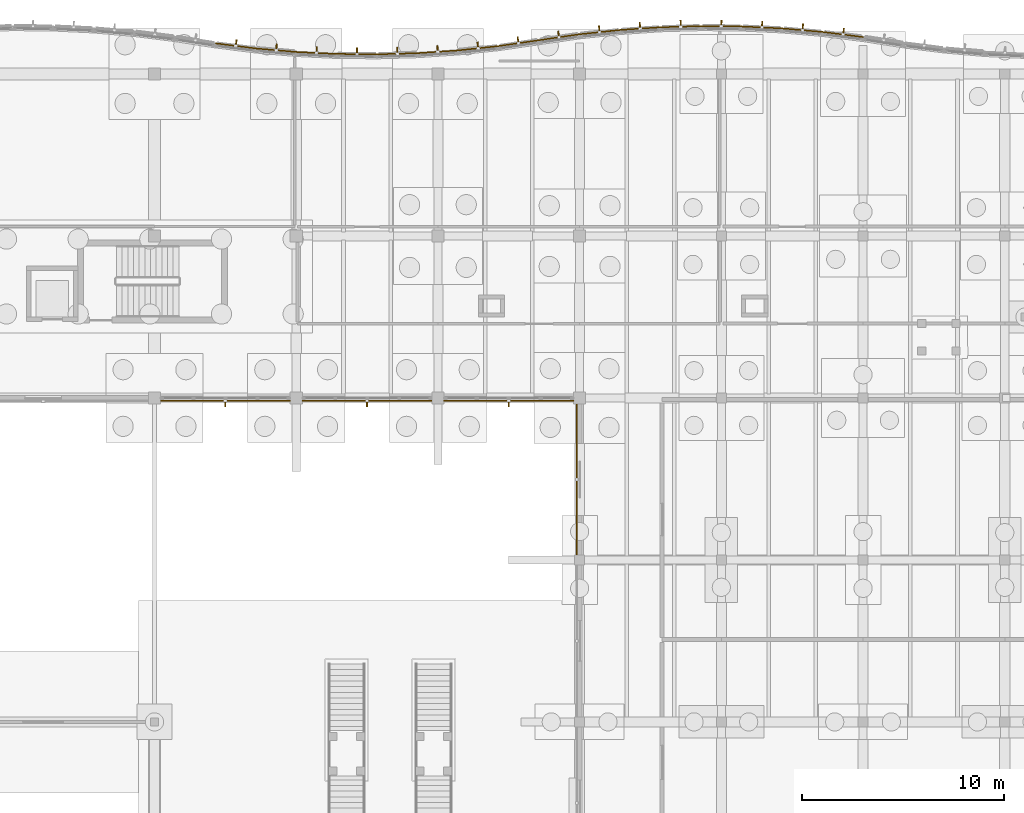
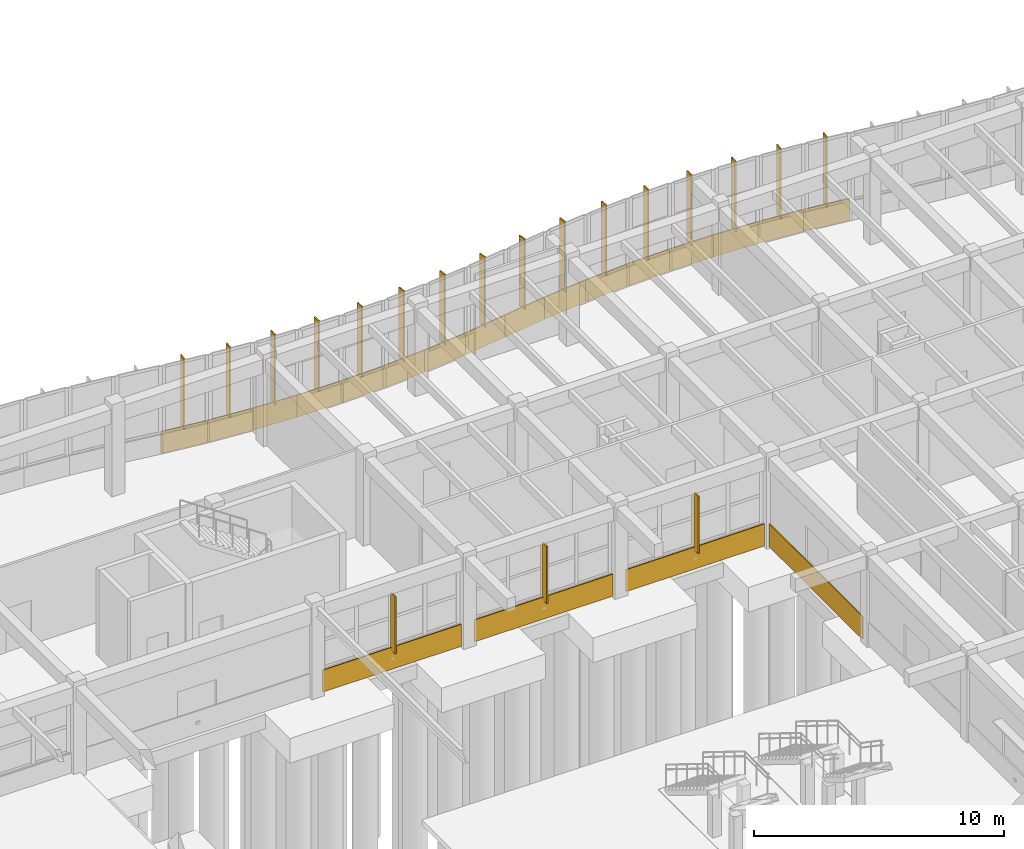
# One storey, part 97 of 99: 20 coverings, 19 shading devices.
"""IFC4 building model written with IfcOpenShell, lengths in metres."""

from ifc_helpers import new_model, si_unit, direction, frame, origin, origin_2d, place, context, subcontext, project, spatial, polyline, rectangle, outline, extrude, material, layer, layer_set, type_object, element, save


model = new_model("IFC4")

# Units and contexts
model_context = context("Model", 3, precision=1e-05, world=origin(), true_north=direction((0.0, 1.0)))
body_context = subcontext(model_context, "Body", "Model", "MODEL_VIEW")
ifc_project = project(units=[si_unit("LENGTHUNIT", "METRE"), si_unit("AREAUNIT", "SQUARE_METRE"), si_unit("VOLUMEUNIT", "CUBIC_METRE"), si_unit("PLANEANGLEUNIT", "RADIAN"), si_unit("MASSUNIT", "GRAM", prefix="KILO")], contexts=[model_context])

# Site, building, storey
site_placement = place(None, origin())
site = spatial("IfcSite", under=ifc_project, at=site_placement, CompositionType="ELEMENT")
building_placement = place(site_placement, origin())
building = spatial("IfcBuilding", under=site, at=building_placement, Name="Tonlespit Floodbar School", CompositionType="ELEMENT")
storey_placement = place(building_placement, origin())
storey = spatial("IfcBuildingStorey", under=building, at=storey_placement, Name="L00", CompositionType="ELEMENT", Elevation=0.0)

# Coverings
ifc_material_1 = material(Name="White Architectural Aluminium", Category="aluminium")
ifc_layer_1 = layer(ifc_material_1, 0.050048828125)
ifc_layer_set_1 = layer_set([ifc_layer_1], Name="White Architectural Aluminium")
covering_type = type_object("IfcCoveringType", Name="Cladding_WhiteBand_50", PredefinedType="CLADDING", material=ifc_layer_set_1)
covering_1_placement = place(storey_placement, frame((0.0, 0.0, -0.1201171875)))
element("IfcCovering", 1, at=covering_1_placement, inside=storey, type_object=covering_type, Name="L00 curved white spandrel cladding 0596", PredefinedType="CLADDING", context=body_context, shape_type="SweptSolid", body=[
    extrude(outline(polyline([(130.012451171875, 121.493408203125), (132.012451171875, 121.241455078125), (132.018798828125, 121.291015625), (130.018798828125, 121.543212890625), (130.012451171875, 121.493408203125)])), origin(), (0.0, 0.0, 1.0), 1.070068359375),
])
covering_2_placement = place(storey_placement, frame((0.0, 0.0, -0.1201171875)))
element("IfcCovering", 2, at=covering_2_placement, inside=storey, type_object=covering_type, Name="L00 curved white spandrel cladding 0597", PredefinedType="CLADDING", context=body_context, shape_type="SweptSolid", body=[
    extrude(outline(polyline([(132.0087890625, 121.241943359375), (134.0087890625, 121.068115234375), (134.012939453125, 121.117919921875), (132.012939453125, 121.291748046875), (132.0087890625, 121.241943359375)])), origin(), (0.0, 0.0, 1.0), 1.070068359375),
])
covering_3_placement = place(storey_placement, frame((0.0, 0.0, -0.1201171875)))
element("IfcCovering", 3, at=covering_3_placement, inside=storey, type_object=covering_type, Name="L00 curved white spandrel cladding 0598", PredefinedType="CLADDING", context=body_context, shape_type="SweptSolid", body=[
    extrude(outline(polyline([(134.0048828125, 121.068359375), (136.0048828125, 120.97216796875), (136.007080078125, 121.02197265625), (134.007080078125, 121.118408203125), (134.0048828125, 121.068359375)])), origin(), (0.0, 0.0, 1.0), 1.070068359375),
])
covering_4_placement = place(storey_placement, frame((0.0, 0.0, -0.1201171875)))
element("IfcCovering", 4, at=covering_4_placement, inside=storey, type_object=covering_type, Name="L00 curved white spandrel cladding 0599", PredefinedType="CLADDING", context=body_context, shape_type="SweptSolid", body=[
    extrude(outline(polyline([(136.0009765625, 120.97216796875), (138.0009765625, 120.952880859375), (138.00146484375, 121.0029296875), (136.00146484375, 121.022216796875), (136.0009765625, 120.97216796875)])), origin(), (0.0, 0.0, 1.0), 1.070068359375),
])
covering_5_placement = place(storey_placement, frame((0.0, 0.0, -0.1201171875)))
element("IfcCovering", 5, at=covering_5_placement, inside=storey, type_object=covering_type, Name="L00 curved white spandrel cladding 0600", PredefinedType="CLADDING", context=body_context, shape_type="SweptSolid", body=[
    extrude(outline(polyline([(137.9970703125, 120.952880859375), (139.9970703125, 121.0107421875), (139.99560546875, 121.060791015625), (137.99560546875, 121.0029296875), (137.9970703125, 120.952880859375)])), origin(), (0.0, 0.0, 1.0), 1.070068359375),
])
covering_6_placement = place(storey_placement, frame((0.0, 0.0, -0.1201171875)))
element("IfcCovering", 6, at=covering_6_placement, inside=storey, type_object=covering_type, Name="L00 curved white spandrel cladding 0601", PredefinedType="CLADDING", context=body_context, shape_type="SweptSolid", body=[
    extrude(outline(polyline([(139.993408203125, 121.010498046875), (141.993408203125, 121.1455078125), (141.989990234375, 121.1953125), (139.989990234375, 121.060302734375), (139.993408203125, 121.010498046875)])), origin(), (0.0, 0.0, 1.0), 1.070068359375),
])
covering_7_placement = place(storey_placement, frame((0.0, 0.0, -0.1201171875)))
element("IfcCovering", 7, at=covering_7_placement, inside=storey, type_object=covering_type, Name="L00 curved white spandrel cladding 0602", PredefinedType="CLADDING", context=body_context, shape_type="SweptSolid", body=[
    extrude(outline(polyline([(141.989501953125, 121.14501953125), (143.989501953125, 121.35791015625), (143.984130859375, 121.407470703125), (141.984130859375, 121.19482421875), (141.989501953125, 121.14501953125)])), origin(), (0.0, 0.0, 1.0), 1.070068359375),
])
covering_8_placement = place(storey_placement, frame((0.0, 0.0, -0.1201171875)))
element("IfcCovering", 8, at=covering_8_placement, inside=storey, type_object=covering_type, Name="L00 curved white spandrel cladding 0603", PredefinedType="CLADDING", context=body_context, shape_type="SweptSolid", body=[
    extrude(outline(polyline([(143.985595703125, 121.357421875), (145.985595703125, 121.64892578125), (145.978515625, 121.698486328125), (143.978515625, 121.406982421875), (143.985595703125, 121.357421875)])), origin(), (0.0, 0.0, 1.0), 1.070068359375),
])
covering_9_placement = place(storey_placement, frame((0.0, 0.0, -0.1201171875)))
element("IfcCovering", 9, at=covering_9_placement, inside=storey, type_object=covering_type, Name="L00 curved white spandrel cladding 0604", PredefinedType="CLADDING", context=body_context, shape_type="SweptSolid", body=[
    extrude(outline(polyline([(145.985595703125, 121.64892578125), (147.985595703125, 121.940673828125), (147.978515625, 121.989990234375), (145.978515625, 121.698486328125), (145.985595703125, 121.64892578125)])), origin(), (0.0, 0.0, 1.0), 1.070068359375),
])
covering_10_placement = place(storey_placement, frame((0.0, 0.0, -0.1201171875)))
element("IfcCovering", 10, at=covering_10_placement, inside=storey, type_object=covering_type, Name="L00 curved white spandrel cladding 0605", PredefinedType="CLADDING", context=body_context, shape_type="SweptSolid", body=[
    extrude(outline(polyline([(147.989501953125, 121.94091796875), (149.989501953125, 122.15380859375), (149.984130859375, 122.203369140625), (147.984130859375, 121.99072265625), (147.989501953125, 121.94091796875)])), origin(), (0.0, 0.0, 1.0), 1.070068359375),
])
covering_11_placement = place(storey_placement, frame((0.0, 0.0, -0.1201171875)))
element("IfcCovering", 11, at=covering_11_placement, inside=storey, type_object=covering_type, Name="L00 curved white spandrel cladding 0606", PredefinedType="CLADDING", context=body_context, shape_type="SweptSolid", body=[
    extrude(outline(polyline([(149.993408203125, 122.154052734375), (151.993408203125, 122.2890625), (151.989990234375, 122.339111328125), (149.989990234375, 122.2041015625), (149.993408203125, 122.154052734375)])), origin(), (0.0, 0.0, 1.0), 1.070068359375),
])
covering_12_placement = place(storey_placement, frame((0.0, 0.0, -0.1201171875)))
element("IfcCovering", 12, at=covering_12_placement, inside=storey, type_object=covering_type, Name="L00 curved white spandrel cladding 0607", PredefinedType="CLADDING", context=body_context, shape_type="SweptSolid", body=[
    extrude(outline(polyline([(151.9970703125, 122.289306640625), (153.9970703125, 122.346923828125), (153.99560546875, 122.39697265625), (151.99560546875, 122.33935546875), (151.9970703125, 122.289306640625)])), origin(), (0.0, 0.0, 1.0), 1.070068359375),
])
covering_13_placement = place(storey_placement, frame((0.0, 0.0, -0.1201171875)))
element("IfcCovering", 13, at=covering_13_placement, inside=storey, type_object=covering_type, Name="L00 curved white spandrel cladding 0608", PredefinedType="CLADDING", context=body_context, shape_type="SweptSolid", body=[
    extrude(outline(polyline([(154.0009765625, 122.346923828125), (156.0009765625, 122.327880859375), (156.00146484375, 122.377685546875), (154.00146484375, 122.39697265625), (154.0009765625, 122.346923828125)])), origin(), (0.0, 0.0, 1.0), 1.070068359375),
])
covering_14_placement = place(storey_placement, frame((0.0, 0.0, -0.1201171875)))
element("IfcCovering", 14, at=covering_14_placement, inside=storey, type_object=covering_type, Name="L00 curved white spandrel cladding 0609", PredefinedType="CLADDING", context=body_context, shape_type="SweptSolid", body=[
    extrude(outline(polyline([(156.0048828125, 122.32763671875), (158.0048828125, 122.2314453125), (158.007080078125, 122.28125), (156.007080078125, 122.377685546875), (156.0048828125, 122.32763671875)])), origin(), (0.0, 0.0, 1.0), 1.070068359375),
])
covering_15_placement = place(storey_placement, frame((0.0, 0.0, -0.1201171875)))
element("IfcCovering", 15, at=covering_15_placement, inside=storey, type_object=covering_type, Name="L00 curved white spandrel cladding 0610", PredefinedType="CLADDING", context=body_context, shape_type="SweptSolid", body=[
    extrude(outline(polyline([(158.0087890625, 122.231201171875), (160.0087890625, 122.057373046875), (160.012939453125, 122.107177734375), (158.012939453125, 122.281005859375), (158.0087890625, 122.231201171875)])), origin(), (0.0, 0.0, 1.0), 1.070068359375),
])
covering_16_placement = place(storey_placement, frame((0.0, 0.0, -0.1201171875)))
element("IfcCovering", 16, at=covering_16_placement, inside=storey, type_object=covering_type, Name="L00 curved white spandrel cladding 0611", PredefinedType="CLADDING", context=body_context, shape_type="SweptSolid", body=[
    extrude(outline(polyline([(160.012451171875, 122.056884765625), (162.012451171875, 121.804931640625), (162.018798828125, 121.8544921875), (160.018798828125, 122.1064453125), (160.012451171875, 122.056884765625)])), origin(), (0.0, 0.0, 1.0), 1.070068359375),
])
covering_17_placement = place(storey_placement, frame((0.0, 0.0, -0.1201171875)))
element("IfcCovering", 17, at=covering_17_placement, inside=storey, type_object=covering_type, Name="L00 curved white spandrel cladding 0620", PredefinedType="CLADDING", context=body_context, shape_type="SweptSolid", body=[
    extrude(outline(polyline([(147.699951171875, 103.89990234375), (141.300048828125, 103.89990234375), (141.300048828125, 103.85009765625), (147.699951171875, 103.85009765625), (147.699951171875, 103.89990234375)])), origin(), (0.0, 0.0, 1.0), 1.070068359375),
])
covering_18_placement = place(storey_placement, frame((0.0, 0.0, -0.1201171875)))
element("IfcCovering", 18, at=covering_18_placement, inside=storey, type_object=covering_type, Name="L00 curved white spandrel cladding 0621", PredefinedType="CLADDING", context=body_context, shape_type="SweptSolid", body=[
    extrude(outline(polyline([(140.699951171875, 103.89990234375), (134.300048828125, 103.89990234375), (134.300048828125, 103.85009765625), (140.699951171875, 103.85009765625), (140.699951171875, 103.89990234375)])), origin(), (0.0, 0.0, 1.0), 1.070068359375),
])
covering_19_placement = place(storey_placement, frame((0.0, 0.0, -0.1201171875)))
element("IfcCovering", 19, at=covering_19_placement, inside=storey, type_object=covering_type, Name="L00 curved white spandrel cladding 0622", PredefinedType="CLADDING", context=body_context, shape_type="SweptSolid", body=[
    extrude(outline(polyline([(133.699951171875, 103.89990234375), (127.300048828125, 103.89990234375), (127.300048828125, 103.85009765625), (133.699951171875, 103.85009765625), (133.699951171875, 103.89990234375)])), origin(), (0.0, 0.0, 1.0), 1.070068359375),
])
covering_20_placement = place(storey_placement, frame((0.0, 0.0, -0.1201171875)))
element("IfcCovering", 20, at=covering_20_placement, inside=storey, type_object=covering_type, Name="L00 curved white spandrel cladding 0624", PredefinedType="CLADDING", context=body_context, shape_type="SweptSolid", body=[
    extrude(outline(polyline([(147.8798828125, 96.25), (147.8798828125, 103.699951171875), (147.830078125, 103.699951171875), (147.830078125, 96.25), (147.8798828125, 96.25)])), origin(), (0.0, 0.0, 1.0), 1.1201171875),
])

# Shading devices
ifc_material_2 = material(Name="Terracotta Anodised Aluminium", Category="masonry")
ifc_layer_2 = layer(ifc_material_2, 0.06005859375)
ifc_layer_set_2 = layer_set([ifc_layer_2], Name="Terracotta Anodised Aluminium")
shading_device_type = type_object("IfcShadingDeviceType", Name="Shading_SolarFin_350", PredefinedType="USERDEFINED", material=ifc_layer_set_2)
for number, where, z_axis, x_axis, name in (
    (21, (131.032470703125, 121.5263671875, 0.800048828125), (0.0, 0.0, 1.0), (0.99215533612, -0.125011155539, 0.0), "L00 vertical solar fin 199"),
    (22, (133.0224609375, 121.314453125, 0.800048828125), (0.0, 0.0, 1.0), (0.996245486492, -0.086573267488, 0.0), "L00 vertical solar fin 200"),
    (23, (135.012451171875, 121.179931640625, 0.800048828125), (0.0, 0.0, 1.0), (0.998842769234, -0.048094930587, 0.0), "L00 vertical solar fin 201"),
    (24, (137.00244140625, 121.12255859375, 0.800048828125), (0.0, 0.0, 1.0), (0.999953926969, -0.009599163462, 0.0), "L00 vertical solar fin 202"),
    (25, (138.992431640625, 121.1416015625, 0.800048828125), (0.0, 0.0, 1.0), (0.999584110869, 0.02883756748, 0.0), "L00 vertical solar fin 203"),
    (26, (140.982421875, 121.237548828125, 0.800048828125), (0.0, 0.0, 1.0), (0.997729639049, 0.067346621018, 0.0), "L00 vertical solar fin 204"),
    (27, (142.972412109375, 121.41064453125, 0.800048828125), (0.0, 0.0, 1.0), (0.99439234017, 0.105753835922, 0.0), "L00 vertical solar fin 205"),
    (28, (144.96240234375, 121.66162109375, 0.800048828125), (0.0, 0.0, 1.0), (0.989537627347, 0.144275029245, 0.0), "L00 vertical solar fin 206"),
    (29, (146.96240234375, 121.953125, 0.800048828125), (0.0, 0.0, 1.0), (0.989537627347, 0.144275029245, 0.0), "L00 vertical solar fin 207"),
    (30, (148.972412109375, 122.20654296875, 0.800048828125), (0.0, 0.0, 1.0), (0.99439234017, 0.105753835922, 0.0), "L00 vertical solar fin 208"),
    (31, (150.982421875, 122.381103515625, 0.800048828125), (0.0, 0.0, 1.0), (0.997729639049, 0.067346621018, 0.0), "L00 vertical solar fin 209"),
    (32, (152.992431640625, 122.47802734375, 0.800048828125), (0.0, 0.0, 1.0), (0.999584110869, 0.02883756748, 0.0), "L00 vertical solar fin 210"),
    (33, (155.00244140625, 122.497314453125, 0.800048828125), (0.0, 0.0, 1.0), (0.999953926969, -0.009599163462, 0.0), "L00 vertical solar fin 211"),
    (34, (157.012451171875, 122.439208984375, 0.800048828125), (0.0, 0.0, 1.0), (0.998842769234, -0.048094930587, 0.0), "L00 vertical solar fin 212"),
    (35, (159.0224609375, 122.3037109375, 0.800048828125), (0.0, 0.0, 1.0), (0.996245486492, -0.086573267488, 0.0), "L00 vertical solar fin 213"),
    (36, (161.032470703125, 122.089599609375, 0.800048828125), (0.0, 0.0, 1.0), (0.99215533612, -0.125011155539, 0.0), "L00 vertical solar fin 214"),
):
    element("IfcShadingDevice", number, at=place(storey_placement, frame(where, z_axis=z_axis, x_axis=x_axis)), inside=storey, type_object=shading_device_type, Name=name, ObjectType="SOLAR FIN", PredefinedType="USERDEFINED", context=body_context, shape_type="SweptSolid", body=[
        extrude(rectangle(XDim=0.06005859375, YDim=0.35009765625, at=origin_2d()), origin(), (0.0, 0.0, 1.0), 3.43994140625),
    ])
for number, where, z_axis, x_axis, name in (
    (37, (144.5, 103.739990234375, 0.800048828125), (0.0, 0.0, 1.0), (-1.0, 0.0, 0.0), "L00 vertical solar fin 223"),
    (38, (137.5, 103.739990234375, 0.800048828125), (0.0, 0.0, 1.0), (-1.0, 0.0, 0.0), "L00 vertical solar fin 224"),
    (39, (130.5, 103.739990234375, 0.800048828125), (0.0, 0.0, 1.0), (-1.0, 0.0, 0.0), "L00 vertical solar fin 225"),
):
    element("IfcShadingDevice", number, at=place(storey_placement, frame(where, z_axis=z_axis, x_axis=x_axis)), inside=storey, type_object=shading_device_type, Name=name, ObjectType="SOLAR FIN", PredefinedType="USERDEFINED", context=body_context, shape_type="SweptSolid", body=[
        extrude(rectangle(XDim=0.06005859375, YDim=0.35009765625, at=origin_2d()), origin(), (0.0, 0.0, 1.0), 2.7900390625),
    ])

save(model, "model.ifc")
